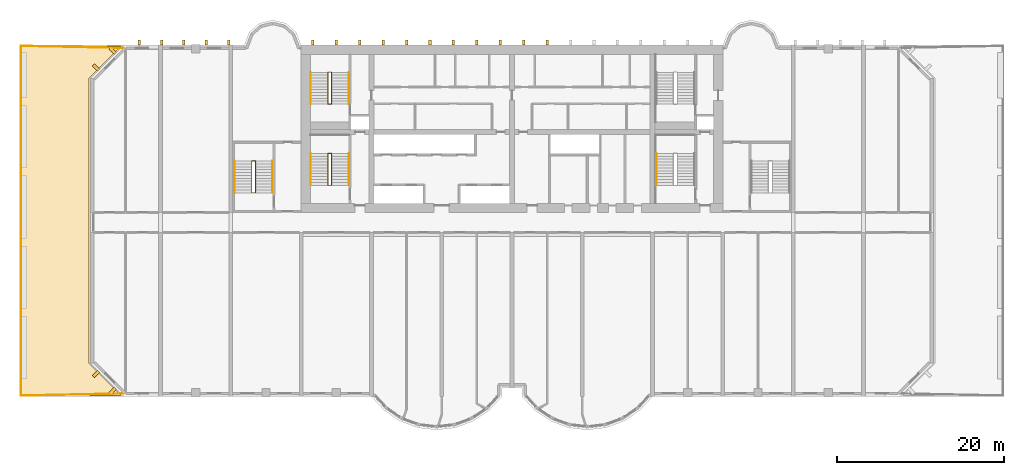
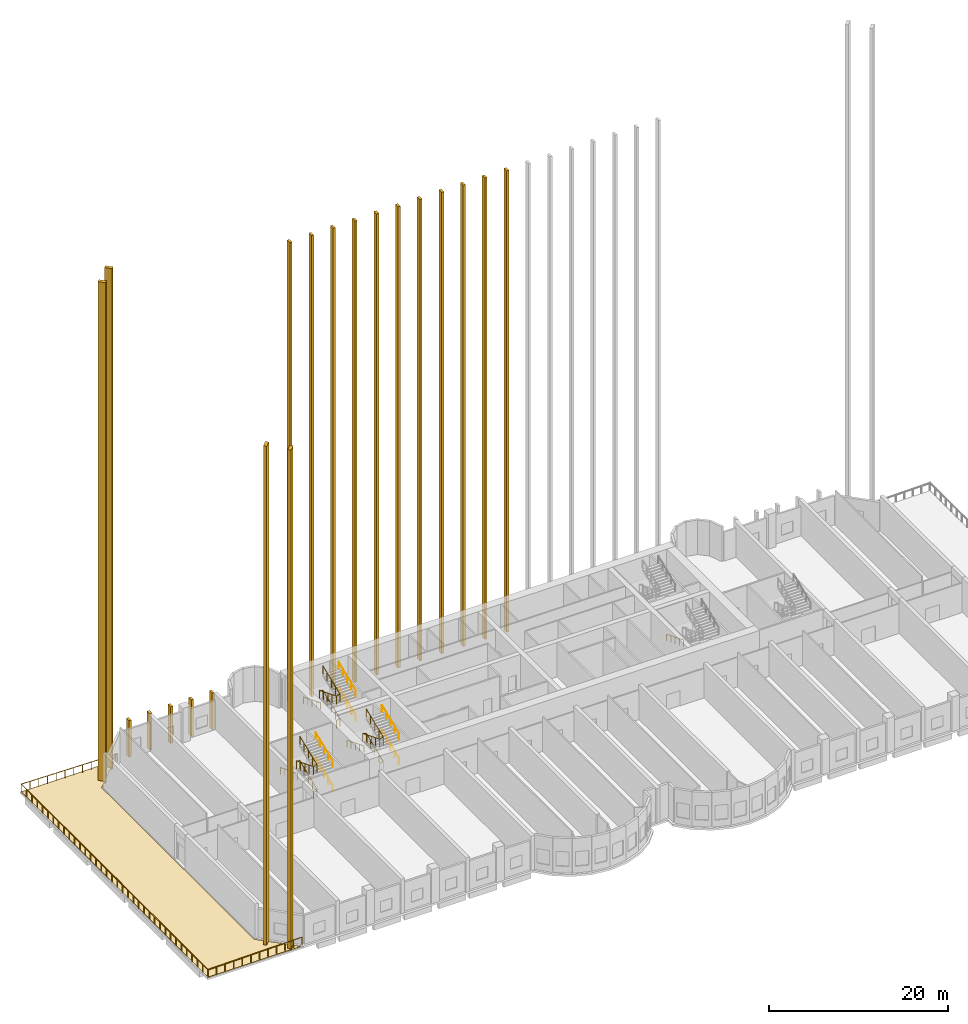
# One storey, part 10 of 11: 21 coverings, 14 railings.
"""IFC4 building model written with IfcOpenShell, lengths in metres."""

from ifc_helpers import new_model, si_unit, direction, frame, origin, origin_2d, place, context, subcontext, project, spatial, polyline, rectangle, circle, outline, extrude, source, transform, mapped, material, layer, layer_set, material_profile, profile_set, type_object, element, save


model = new_model("IFC4")

# Units and contexts
model_context = context("Model", 3, precision=1e-05, world=origin(), true_north=direction((0.0, 1.0)))
body_context = subcontext(model_context, "Body", "Model", "MODEL_VIEW")
ifc_project = project(units=[si_unit("LENGTHUNIT", "METRE"), si_unit("AREAUNIT", "SQUARE_METRE"), si_unit("VOLUMEUNIT", "CUBIC_METRE"), si_unit("PLANEANGLEUNIT", "RADIAN"), si_unit("MASSUNIT", "GRAM", prefix="KILO")], contexts=[model_context])

# Site, building, storey
site_placement = place(None, origin())
site = spatial("IfcSite", under=ifc_project, at=site_placement, CompositionType="ELEMENT")
building_placement = place(site_placement, origin())
building = spatial("IfcBuilding", under=site, at=building_placement, Name="Vanashikhar Sky Hotel", CompositionType="ELEMENT")
storey_placement = place(building_placement, frame((0.0, 0.0, 18.0)))
storey = spatial("IfcBuildingStorey", under=building, at=storey_placement, Name="L03", CompositionType="ELEMENT", Elevation=18.0)

# Covering
ifc_material_1 = material(Name="Paving stone", Category="masonry")
ifc_layer = layer(ifc_material_1, 0.050048828125)
ifc_layer_set = layer_set([ifc_layer], Name="Paving stone 50")
covering_type_1 = type_object("IfcCoveringType", Name="Paving stone 50", PredefinedType="FLOORING", material=ifc_layer_set)
shared_shape_1 = source(origin(), body_context, "Body", "SweptSolid", [
    extrude(outline(polyline([(3.705322265625, 0.1220703125), (-8.278076171875, 0.1220703125), (-8.278076171875, 41.8779296875), (3.705322265625, 41.8779296875), (-0.1220703125, 38.05078125), (-0.1220703125, 3.94921875), (3.705322265625, 0.1220703125)])), origin(), (0.0, 0.0, 1.0), 0.050048828125),
])
covering_placement = place(storey_placement, frame((0.0, 0.0, -0.050048828125)))
element("IfcCovering", 1, at=covering_placement, inside=storey, type_object=covering_type_1, Name="Terrace paving", PredefinedType="FLOORING", context=body_context, shape_type="MappedRepresentation", body=[
    mapped(shared_shape_1, transform((0.0, 0.0, 0.0), scale=1.0)),
])

# Railing
ifc_material_2 = material(Name="Stainless steel 316", Category="steel")
railing_type_1 = type_object("IfcRailingType", Name="Deck guard 1100", PredefinedType="GUARDRAIL", material=ifc_material_2)
shared_shape_2 = source(origin(), body_context, "Body", "SweptSolid", [
    extrude(circle(Radius=0.02392578125, at=origin_2d()), frame((0.0, 0.0, 1.076171875), z_axis=(-0.99979514263, 0.020240374831, 0.0), x_axis=(-0.020240374831, -0.99979514263, 0.0)), (0.0, 0.0, 1.0), 12.30322265625),
    extrude(circle(Radius=0.02392578125, at=origin_2d()), frame((-12.30078125, 0.2490234375, 1.076171875), z_axis=(0.0, -1.0, 0.0), x_axis=(1.0, 0.0, 0.0)), (0.0, 0.0, 1.0), 41.7958984375),
    extrude(circle(Radius=0.02392578125, at=origin_2d()), frame((-12.30078125, -41.546875, 1.076171875), z_axis=(0.99979514263, 0.020240374831, 0.0), x_axis=(-0.020240374831, 0.99979514263, 0.0)), (0.0, 0.0, 1.0), 12.30322265625),
    extrude(circle(Radius=0.02099609375, at=origin_2d()), origin(), (0.0, 0.0, 1.0), 1.052001953125),
    extrude(circle(Radius=0.02099609375, at=origin_2d()), frame((-1.1181640625, 0.022705078125, 0.0)), (0.0, 0.0, 1.0), 1.052001953125),
    extrude(circle(Radius=0.02099609375, at=origin_2d()), frame((-2.236572265625, 0.045166015625, 0.0)), (0.0, 0.0, 1.0), 1.052001953125),
    extrude(circle(Radius=0.02099609375, at=origin_2d()), frame((-3.354736328125, 0.06787109375, 0.0)), (0.0, 0.0, 1.0), 1.052001953125),
    extrude(circle(Radius=0.02099609375, at=origin_2d()), frame((-4.472900390625, 0.090576171875, 0.0)), (0.0, 0.0, 1.0), 1.052001953125),
    extrude(circle(Radius=0.02099609375, at=origin_2d()), frame((-5.59130859375, 0.11328125, 0.0)), (0.0, 0.0, 1.0), 1.052001953125),
    extrude(circle(Radius=0.02099609375, at=origin_2d()), frame((-6.70947265625, 0.1357421875, 0.0)), (0.0, 0.0, 1.0), 1.052001953125),
    extrude(circle(Radius=0.02099609375, at=origin_2d()), frame((-7.827880859375, 0.158447265625, 0.0)), (0.0, 0.0, 1.0), 1.052001953125),
    extrude(circle(Radius=0.02099609375, at=origin_2d()), frame((-8.946044921875, 0.18115234375, 0.0)), (0.0, 0.0, 1.0), 1.052001953125),
    extrude(circle(Radius=0.02099609375, at=origin_2d()), frame((-10.064208984375, 0.203857421875, 0.0)), (0.0, 0.0, 1.0), 1.052001953125),
    extrude(circle(Radius=0.02099609375, at=origin_2d()), frame((-11.1826171875, 0.226318359375, 0.0)), (0.0, 0.0, 1.0), 1.052001953125),
    extrude(circle(Radius=0.02099609375, at=origin_2d()), frame((-12.30078125, 0.2490234375, 0.0)), (0.0, 0.0, 1.0), 1.052001953125),
    extrude(circle(Radius=0.02099609375, at=origin_2d()), frame((-12.30078125, -0.945068359375, 0.0)), (0.0, 0.0, 1.0), 1.052001953125),
    extrude(circle(Radius=0.02099609375, at=origin_2d()), frame((-12.30078125, -2.139404296875, 0.0)), (0.0, 0.0, 1.0), 1.052001953125),
    extrude(circle(Radius=0.02099609375, at=origin_2d()), frame((-12.30078125, -3.33349609375, 0.0)), (0.0, 0.0, 1.0), 1.052001953125),
    extrude(circle(Radius=0.02099609375, at=origin_2d()), frame((-12.30078125, -4.527587890625, 0.0)), (0.0, 0.0, 1.0), 1.052001953125),
    extrude(circle(Radius=0.02099609375, at=origin_2d()), frame((-12.30078125, -5.721923828125, 0.0)), (0.0, 0.0, 1.0), 1.052001953125),
    extrude(circle(Radius=0.02099609375, at=origin_2d()), frame((-12.30078125, -6.916015625, 0.0)), (0.0, 0.0, 1.0), 1.052001953125),
    extrude(circle(Radius=0.02099609375, at=origin_2d()), frame((-12.30078125, -8.110107421875, 0.0)), (0.0, 0.0, 1.0), 1.052001953125),
    extrude(circle(Radius=0.02099609375, at=origin_2d()), frame((-12.30078125, -9.304443359375, 0.0)), (0.0, 0.0, 1.0), 1.052001953125),
    extrude(circle(Radius=0.02099609375, at=origin_2d()), frame((-12.30078125, -10.49853515625, 0.0)), (0.0, 0.0, 1.0), 1.052001953125),
    extrude(circle(Radius=0.02099609375, at=origin_2d()), frame((-12.30078125, -11.692626953125, 0.0)), (0.0, 0.0, 1.0), 1.052001953125),
    extrude(circle(Radius=0.02099609375, at=origin_2d()), frame((-12.30078125, -12.88671875, 0.0)), (0.0, 0.0, 1.0), 1.052001953125),
    extrude(circle(Radius=0.02099609375, at=origin_2d()), frame((-12.30078125, -14.0810546875, 0.0)), (0.0, 0.0, 1.0), 1.052001953125),
    extrude(circle(Radius=0.02099609375, at=origin_2d()), frame((-12.30078125, -15.275146484375, 0.0)), (0.0, 0.0, 1.0), 1.052001953125),
    extrude(circle(Radius=0.02099609375, at=origin_2d()), frame((-12.30078125, -16.46923828125, 0.0)), (0.0, 0.0, 1.0), 1.052001953125),
    extrude(circle(Radius=0.02099609375, at=origin_2d()), frame((-12.30078125, -17.66357421875, 0.0)), (0.0, 0.0, 1.0), 1.052001953125),
    extrude(circle(Radius=0.02099609375, at=origin_2d()), frame((-12.30078125, -18.857666015625, 0.0)), (0.0, 0.0, 1.0), 1.052001953125),
    extrude(circle(Radius=0.02099609375, at=origin_2d()), frame((-12.30078125, -20.0517578125, 0.0)), (0.0, 0.0, 1.0), 1.052001953125),
    extrude(circle(Radius=0.02099609375, at=origin_2d()), frame((-12.30078125, -21.24609375, 0.0)), (0.0, 0.0, 1.0), 1.052001953125),
    extrude(circle(Radius=0.02099609375, at=origin_2d()), frame((-12.30078125, -22.440185546875, 0.0)), (0.0, 0.0, 1.0), 1.052001953125),
    extrude(circle(Radius=0.02099609375, at=origin_2d()), frame((-12.30078125, -23.63427734375, 0.0)), (0.0, 0.0, 1.0), 1.052001953125),
    extrude(circle(Radius=0.02099609375, at=origin_2d()), frame((-12.30078125, -24.82861328125, 0.0)), (0.0, 0.0, 1.0), 1.052001953125),
    extrude(circle(Radius=0.02099609375, at=origin_2d()), frame((-12.30078125, -26.022705078125, 0.0)), (0.0, 0.0, 1.0), 1.052001953125),
    extrude(circle(Radius=0.02099609375, at=origin_2d()), frame((-12.30078125, -27.216796875, 0.0)), (0.0, 0.0, 1.0), 1.052001953125),
    extrude(circle(Radius=0.02099609375, at=origin_2d()), frame((-12.30078125, -28.4111328125, 0.0)), (0.0, 0.0, 1.0), 1.052001953125),
    extrude(circle(Radius=0.02099609375, at=origin_2d()), frame((-12.30078125, -29.605224609375, 0.0)), (0.0, 0.0, 1.0), 1.052001953125),
    extrude(circle(Radius=0.02099609375, at=origin_2d()), frame((-12.30078125, -30.79931640625, 0.0)), (0.0, 0.0, 1.0), 1.052001953125),
    extrude(circle(Radius=0.02099609375, at=origin_2d()), frame((-12.30078125, -31.993408203125, 0.0)), (0.0, 0.0, 1.0), 1.052001953125),
    extrude(circle(Radius=0.02099609375, at=origin_2d()), frame((-12.30078125, -33.187744140625, 0.0)), (0.0, 0.0, 1.0), 1.052001953125),
    extrude(circle(Radius=0.02099609375, at=origin_2d()), frame((-12.30078125, -34.3818359375, 0.0)), (0.0, 0.0, 1.0), 1.052001953125),
    extrude(circle(Radius=0.02099609375, at=origin_2d()), frame((-12.30078125, -35.575927734375, 0.0)), (0.0, 0.0, 1.0), 1.052001953125),
    extrude(circle(Radius=0.02099609375, at=origin_2d()), frame((-12.30078125, -36.770263671875, 0.0)), (0.0, 0.0, 1.0), 1.052001953125),
    extrude(circle(Radius=0.02099609375, at=origin_2d()), frame((-12.30078125, -37.96435546875, 0.0)), (0.0, 0.0, 1.0), 1.052001953125),
    extrude(circle(Radius=0.02099609375, at=origin_2d()), frame((-12.30078125, -39.158447265625, 0.0)), (0.0, 0.0, 1.0), 1.052001953125),
    extrude(circle(Radius=0.02099609375, at=origin_2d()), frame((-12.30078125, -40.352783203125, 0.0)), (0.0, 0.0, 1.0), 1.052001953125),
    extrude(circle(Radius=0.02099609375, at=origin_2d()), frame((-12.30078125, -41.546875, 0.0)), (0.0, 0.0, 1.0), 1.052001953125),
    extrude(circle(Radius=0.02099609375, at=origin_2d()), frame((-11.1826171875, -41.524169921875, 0.0)), (0.0, 0.0, 1.0), 1.052001953125),
    extrude(circle(Radius=0.02099609375, at=origin_2d()), frame((-10.064208984375, -41.501708984375, 0.0)), (0.0, 0.0, 1.0), 1.052001953125),
    extrude(circle(Radius=0.02099609375, at=origin_2d()), frame((-8.946044921875, -41.47900390625, 0.0)), (0.0, 0.0, 1.0), 1.052001953125),
    extrude(circle(Radius=0.02099609375, at=origin_2d()), frame((-7.827880859375, -41.456298828125, 0.0)), (0.0, 0.0, 1.0), 1.052001953125),
    extrude(circle(Radius=0.02099609375, at=origin_2d()), frame((-6.70947265625, -41.43359375, 0.0)), (0.0, 0.0, 1.0), 1.052001953125),
    extrude(circle(Radius=0.02099609375, at=origin_2d()), frame((-5.59130859375, -41.4111328125, 0.0)), (0.0, 0.0, 1.0), 1.052001953125),
    extrude(circle(Radius=0.02099609375, at=origin_2d()), frame((-4.472900390625, -41.388427734375, 0.0)), (0.0, 0.0, 1.0), 1.052001953125),
    extrude(circle(Radius=0.02099609375, at=origin_2d()), frame((-3.354736328125, -41.36572265625, 0.0)), (0.0, 0.0, 1.0), 1.052001953125),
    extrude(circle(Radius=0.02099609375, at=origin_2d()), frame((-2.236572265625, -41.343017578125, 0.0)), (0.0, 0.0, 1.0), 1.052001953125),
    extrude(circle(Radius=0.02099609375, at=origin_2d()), frame((-1.1181640625, -41.320556640625, 0.0)), (0.0, 0.0, 1.0), 1.052001953125),
    extrude(circle(Radius=0.02099609375, at=origin_2d()), frame((0.0, -41.2978515625, 0.0)), (0.0, 0.0, 1.0), 1.052001953125),
])
railing_1_placement = place(storey_placement, frame((4.002685546875, 41.64892578125, -0.050048828125)))
element("IfcRailing", 2, at=railing_1_placement, inside=storey, type_object=railing_type_1, Name="Terrace guard", PredefinedType="GUARDRAIL", context=body_context, shape_type="MappedRepresentation", body=[
    mapped(shared_shape_2, transform((0.0, 0.0, 0.0), scale=1.0)),
])

# Coverings
ifc_material_3 = material(Name="Concrete M60 dark", Category="concrete")
ifc_material_profile_1 = material_profile(ifc_material_3, rectangle(XDim=0.60009765625, YDim=0.300048828125, at=origin_2d()))
ifc_profile_set_1 = profile_set([ifc_material_profile_1], Name="Rear rib 600 x 300")
covering_type_2 = type_object("IfcCoveringType", Name="Rear rib 600 x 300", PredefinedType="CLADDING", material=ifc_profile_set_1)
shared_shape_3 = source(origin(), body_context, "Body", "SweptSolid", [
    extrude(rectangle(XDim=0.60009765625, YDim=0.300048828125, at=origin_2d()), origin(), (0.0, 0.0, 1.0), 63.0),
])
for number, where, z_axis, x_axis, name in (
    (3, (26.60009765625, 42.300048828125, -0.280029296875), (0.0, 0.0, 1.0), (0.0, 1.0, 0.0), "Rear rib"),
    (4, (29.39990234375, 42.300048828125, -0.280029296875), (0.0, 0.0, 1.0), (0.0, 1.0, 0.0), "Rear rib"),
    (5, (32.199951171875, 42.300048828125, -0.280029296875), (0.0, 0.0, 1.0), (0.0, 1.0, 0.0), "Rear rib"),
    (6, (35.0, 42.300048828125, -0.280029296875), (0.0, 0.0, 1.0), (0.0, 1.0, 0.0), "Rear rib"),
    (7, (37.800048828125, 42.300048828125, -0.280029296875), (0.0, 0.0, 1.0), (0.0, 1.0, 0.0), "Rear rib"),
    (8, (40.60009765625, 42.300048828125, -0.280029296875), (0.0, 0.0, 1.0), (0.0, 1.0, 0.0), "Rear rib"),
    (9, (43.39990234375, 42.300048828125, -0.280029296875), (0.0, 0.0, 1.0), (0.0, 1.0, 0.0), "Rear rib"),
    (10, (46.199951171875, 42.300048828125, -0.280029296875), (0.0, 0.0, 1.0), (0.0, 1.0, 0.0), "Rear rib"),
    (11, (49.0, 42.300048828125, -0.280029296875), (0.0, 0.0, 1.0), (0.0, 1.0, 0.0), "Rear rib"),
    (12, (51.800048828125, 42.300048828125, -0.280029296875), (0.0, 0.0, 1.0), (0.0, 1.0, 0.0), "Rear rib"),
    (13, (54.60009765625, 42.300048828125, -0.280029296875), (0.0, 0.0, 1.0), (0.0, 1.0, 0.0), "Rear rib"),
):
    element("IfcCovering", number, at=place(storey_placement, frame(where, z_axis=z_axis, x_axis=x_axis)), inside=storey, type_object=covering_type_2, Name=name, PredefinedType="CLADDING", context=body_context, shape_type="MappedRepresentation", body=[
        mapped(shared_shape_3, transform((0.0, 0.0, 0.0), scale=1.0)),
    ])
shared_shape_4 = source(origin(), body_context, "Body", "SweptSolid", [
    extrude(rectangle(XDim=0.60009765625, YDim=0.300048828125, at=origin_2d()), origin(), (0.0, 0.0, 1.0), 5.0),
])
for number, where, z_axis, x_axis, name in (
    (14, (5.840087890625, 42.300048828125, -0.280029296875), (0.0, 0.0, 1.0), (0.0, 1.0, 0.0), "Rear rib"),
    (15, (8.52001953125, 42.300048828125, -0.280029296875), (0.0, 0.0, 1.0), (0.0, 1.0, 0.0), "Rear rib"),
    (16, (11.199951171875, 42.300048828125, -0.280029296875), (0.0, 0.0, 1.0), (0.0, 1.0, 0.0), "Rear rib"),
    (17, (13.8798828125, 42.300048828125, -0.280029296875), (0.0, 0.0, 1.0), (0.0, 1.0, 0.0), "Rear rib"),
    (18, (16.56005859375, 42.300048828125, -0.280029296875), (0.0, 0.0, 1.0), (0.0, 1.0, 0.0), "Rear rib"),
):
    element("IfcCovering", number, at=place(storey_placement, frame(where, z_axis=z_axis, x_axis=x_axis)), inside=storey, type_object=covering_type_2, Name=name, PredefinedType="CLADDING", context=body_context, shape_type="MappedRepresentation", body=[
        mapped(shared_shape_4, transform((0.0, 0.0, 0.0), scale=1.0)),
    ])
ifc_material_profile_2 = material_profile(ifc_material_3, rectangle(XDim=0.89990234375, YDim=0.39990234375, at=origin_2d()))
ifc_profile_set_2 = profile_set([ifc_material_profile_2], Name="Chamfer fin 900 x 400")
covering_type_3 = type_object("IfcCoveringType", Name="Chamfer fin 900 x 400", PredefinedType="CLADDING", material=ifc_profile_set_2)
shared_shape_5 = source(origin(), body_context, "Body", "SweptSolid", [
    extrude(rectangle(XDim=0.89990234375, YDim=0.39990234375, at=origin_2d()), origin(), (0.0, 0.0, 1.0), 68.400146484375),
])
for number, where, z_axis, x_axis, name in (
    (19, (2.681884765625, 41.318115234375, -0.280029296875), (0.0, 0.0, 1.0), (-0.707106781187, 0.707106781187, 0.0), "Chamfer fin"),
    (20, (0.681884765625, 39.318115234375, -0.280029296875), (0.0, 0.0, 1.0), (-0.707106781187, 0.707106781187, 0.0), "Chamfer fin"),
    (21, (0.681884765625, 2.681884765625, -0.280029296875), (0.0, 0.0, 1.0), (-0.707106781187, -0.707106781187, 0.0), "Chamfer fin"),
    (22, (2.681884765625, 0.681884765625, -0.280029296875), (0.0, 0.0, 1.0), (-0.707106781187, -0.707106781187, 0.0), "Chamfer fin"),
):
    element("IfcCovering", number, at=place(storey_placement, frame(where, z_axis=z_axis, x_axis=x_axis)), inside=storey, type_object=covering_type_3, Name=name, PredefinedType="CLADDING", context=body_context, shape_type="MappedRepresentation", body=[
        mapped(shared_shape_5, transform((0.0, 0.0, 0.0), scale=1.0)),
    ])

# Railings
ifc_material_4 = material(Name="Steel S355", Category="steel")
railing_type_2 = type_object("IfcRailingType", Name="Stair guard 1100", PredefinedType="GUARDRAIL", material=ifc_material_4)
shared_shape_6 = source(origin(), body_context, "Body", "SweptSolid", [
    extrude(circle(Radius=0.02392578125, at=origin_2d()), frame((0.0, 0.0, 1.076171875), z_axis=(0.955543416296, 0.0, 0.294850435939), x_axis=(0.0, 1.0, 0.0)), (0.0, 0.0, 1.0), 0.47119140625),
    extrude(circle(Radius=0.02392578125, at=origin_2d()), frame((0.4501953125, 0.0, 1.21484375), z_axis=(0.0, 0.927817477834, 0.373034486109), x_axis=(-1.0, 0.0, 0.0)), (0.0, 0.0, 1.0), 4.095703125),
    extrude(circle(Radius=0.02392578125, at=origin_2d()), frame((0.4501953125, 3.800048828125, 2.74267578125), z_axis=(-0.955543416296, 0.0, 0.294850435939), x_axis=(0.0, -1.0, 0.0)), (0.0, 0.0, 1.0), 0.47119140625),
    extrude(circle(Radius=0.02392578125, at=origin_2d()), frame((0.0, 3.800048828125, 2.8818359375), z_axis=(0.0, -0.927838108096, 0.372983170084), x_axis=(1.0, 0.0, 0.0)), (0.0, 0.0, 1.0), 4.095703125),
    extrude(circle(Radius=0.02392578125, at=origin_2d()), frame((0.0, 0.0, 4.4091796875), z_axis=(0.955543416296, 0.0, 0.294850435939), x_axis=(0.0, 1.0, 0.0)), (0.0, 0.0, 1.0), 0.47119140625),
    extrude(circle(Radius=0.02392578125, at=origin_2d()), frame((0.4501953125, 0.0, 4.54833984375), z_axis=(0.0, 0.927817477834, 0.373034486109), x_axis=(-1.0, 0.0, 0.0)), (0.0, 0.0, 1.0), 4.095703125),
    extrude(circle(Radius=0.02099609375, at=origin_2d()), origin(), (0.0, 0.0, 1.0), 1.052001953125),
    extrude(circle(Radius=0.02099609375, at=origin_2d()), frame((0.4501953125, 0.0, 0.138916015625)), (0.0, 0.0, 1.0), 1.052001953125),
    extrude(circle(Radius=0.02099609375, at=origin_2d()), frame((0.4501953125, 0.949951171875, 0.52099609375)), (0.0, 0.0, 1.0), 1.052001953125),
    extrude(circle(Radius=0.02099609375, at=origin_2d()), frame((0.4501953125, 1.89990234375, 0.90283203125)), (0.0, 0.0, 1.0), 1.052001953125),
    extrude(circle(Radius=0.02099609375, at=origin_2d()), frame((0.4501953125, 2.85009765625, 1.28466796875)), (0.0, 0.0, 1.0), 1.052001953125),
    extrude(circle(Radius=0.02099609375, at=origin_2d()), frame((0.4501953125, 3.800048828125, 1.666748046875)), (0.0, 0.0, 1.0), 1.052001953125),
    extrude(circle(Radius=0.02099609375, at=origin_2d()), frame((0.0, 3.800048828125, 1.8056640625)), (0.0, 0.0, 1.0), 1.052001953125),
    extrude(circle(Radius=0.02099609375, at=origin_2d()), frame((0.0, 2.85009765625, 2.1875)), (0.0, 0.0, 1.0), 1.052001953125),
    extrude(circle(Radius=0.02099609375, at=origin_2d()), frame((0.0, 1.89990234375, 2.5693359375)), (0.0, 0.0, 1.0), 1.052001953125),
    extrude(circle(Radius=0.02099609375, at=origin_2d()), frame((0.0, 0.949951171875, 2.951416015625)), (0.0, 0.0, 1.0), 1.052001953125),
    extrude(circle(Radius=0.02099609375, at=origin_2d()), frame((0.0, 0.0, 3.333251953125)), (0.0, 0.0, 1.0), 1.052001953125),
    extrude(circle(Radius=0.02099609375, at=origin_2d()), frame((0.4501953125, 0.0, 3.47216796875)), (0.0, 0.0, 1.0), 1.052001953125),
    extrude(circle(Radius=0.02099609375, at=origin_2d()), frame((0.4501953125, 0.949951171875, 3.85400390625)), (0.0, 0.0, 1.0), 1.052001953125),
    extrude(circle(Radius=0.02099609375, at=origin_2d()), frame((0.4501953125, 1.89990234375, 4.236083984375)), (0.0, 0.0, 1.0), 1.052001953125),
    extrude(circle(Radius=0.02099609375, at=origin_2d()), frame((0.4501953125, 2.85009765625, 4.6181640625)), (0.0, 0.0, 1.0), 1.052001953125),
    extrude(circle(Radius=0.02099609375, at=origin_2d()), frame((0.4501953125, 3.800048828125, 5.0)), (0.0, 0.0, 1.0), 1.052001953125),
])
for number, where, name in (
    (23, (28.39990234375, 25.25, 0.0), "Exit stair 1 guard"),
    (24, (28.39990234375, 34.949951171875, 0.0), "Exit stair 5 guard"),
):
    element("IfcRailing", number, at=place(storey_placement, frame(where)), inside=storey, type_object=railing_type_2, Name=name, PredefinedType="GUARDRAIL", context=body_context, shape_type="MappedRepresentation", body=[
        mapped(shared_shape_6, transform((0.0, 0.0, 0.0), scale=1.0)),
    ])
railing_type_3 = type_object("IfcRailingType", Name="Stair handrail 900", PredefinedType="HANDRAIL", material=ifc_material_4)
shared_shape_7 = source(origin(), body_context, "Body", "SweptSolid", [
    extrude(circle(Radius=0.02392578125, at=origin_2d()), frame((0.0, 0.0, 0.8759765625), z_axis=(0.0, 0.927817477834, 0.373034486109), x_axis=(-1.0, 0.0, 0.0)), (0.0, 0.0, 1.0), 4.095703125),
    extrude(circle(Radius=0.02099609375, at=origin_2d()), origin(), (0.0, 0.0, 1.0), 0.851806640625),
    extrude(circle(Radius=0.02099609375, at=origin_2d()), frame((0.0, 0.949951171875, 0.3818359375)), (0.0, 0.0, 1.0), 0.851806640625),
    extrude(circle(Radius=0.02099609375, at=origin_2d()), frame((0.0, 1.89990234375, 0.763916015625)), (0.0, 0.0, 1.0), 0.851806640625),
    extrude(circle(Radius=0.02099609375, at=origin_2d()), frame((0.0, 2.85009765625, 1.14599609375)), (0.0, 0.0, 1.0), 0.851806640625),
    extrude(circle(Radius=0.02099609375, at=origin_2d()), frame((0.0, 3.800048828125, 1.52783203125)), (0.0, 0.0, 1.0), 0.851806640625),
])
for number, where, name in (
    (25, (30.89990234375, 25.25, 0.138916015625), "Exit stair 1 handrail"),
    (26, (30.89990234375, 25.25, 3.47216796875), "Exit stair 1 handrail"),
    (27, (30.89990234375, 34.949951171875, 0.138916015625), "Exit stair 5 handrail"),
    (28, (30.89990234375, 34.949951171875, 3.47216796875), "Exit stair 5 handrail"),
):
    element("IfcRailing", number, at=place(storey_placement, frame(where)), inside=storey, type_object=railing_type_3, Name=name, PredefinedType="HANDRAIL", context=body_context, shape_type="MappedRepresentation", body=[
        mapped(shared_shape_7, transform((0.0, 0.0, 0.0), scale=1.0)),
    ])
shared_shape_8 = source(origin(), body_context, "Body", "SweptSolid", [
    extrude(circle(Radius=0.02392578125, at=origin_2d()), frame((0.0, 0.0, 0.8759765625), z_axis=(0.0, -0.927838108096, 0.372983170084), x_axis=(1.0, 0.0, 0.0)), (0.0, 0.0, 1.0), 4.095703125),
    extrude(circle(Radius=0.02099609375, at=origin_2d()), origin(), (0.0, 0.0, 1.0), 0.851806640625),
    extrude(circle(Radius=0.02099609375, at=origin_2d()), frame((0.0, -0.949951171875, 0.3818359375)), (0.0, 0.0, 1.0), 0.851806640625),
    extrude(circle(Radius=0.02099609375, at=origin_2d()), frame((0.0, -1.89990234375, 0.763671875)), (0.0, 0.0, 1.0), 0.851806640625),
    extrude(circle(Radius=0.02099609375, at=origin_2d()), frame((0.0, -2.85009765625, 1.145751953125)), (0.0, 0.0, 1.0), 0.851806640625),
    extrude(circle(Radius=0.02099609375, at=origin_2d()), frame((0.0, -3.800048828125, 1.527587890625)), (0.0, 0.0, 1.0), 0.851806640625),
])
for number, where, name in (
    (29, (26.35009765625, 29.050048828125, 1.8056640625), "Exit stair 1 handrail"),
    (30, (67.64990234375, 29.050048828125, 1.8056640625), "Exit stair 2 handrail"),
    (31, (26.35009765625, 38.75, 1.8056640625), "Exit stair 5 handrail"),
):
    element("IfcRailing", number, at=place(storey_placement, frame(where)), inside=storey, type_object=railing_type_3, Name=name, PredefinedType="HANDRAIL", context=body_context, shape_type="MappedRepresentation", body=[
        mapped(shared_shape_8, transform((0.0, 0.0, 0.0), scale=1.0)),
    ])
shared_shape_9 = source(origin(), body_context, "Body", "SweptSolid", [
    extrude(circle(Radius=0.02392578125, at=origin_2d()), frame((0.0, 0.0, 1.076171875), z_axis=(0.955498332995, 0.0, 0.294996501071), x_axis=(0.0, 1.0, 0.0)), (0.0, 0.0, 1.0), 0.470947265625),
    extrude(circle(Radius=0.02392578125, at=origin_2d()), frame((0.449951171875, 0.0, 1.21484375), z_axis=(0.0, 0.927809182241, 0.37305511838), x_axis=(-1.0, 0.0, 0.0)), (0.0, 0.0, 1.0), 4.095458984375),
    extrude(circle(Radius=0.02392578125, at=origin_2d()), frame((0.449951171875, 3.7998046875, 2.74267578125), z_axis=(-0.955498332995, 0.0, 0.294996501071), x_axis=(0.0, -1.0, 0.0)), (0.0, 0.0, 1.0), 0.470947265625),
    extrude(circle(Radius=0.02392578125, at=origin_2d()), frame((0.0, 3.7998046875, 2.8818359375), z_axis=(0.0, -0.927829814601, 0.373003800434), x_axis=(1.0, 0.0, 0.0)), (0.0, 0.0, 1.0), 4.095458984375),
    extrude(circle(Radius=0.02392578125, at=origin_2d()), frame((0.0, 0.0, 4.4091796875), z_axis=(0.955498332995, 0.0, 0.294996501071), x_axis=(0.0, 1.0, 0.0)), (0.0, 0.0, 1.0), 0.470947265625),
    extrude(circle(Radius=0.02392578125, at=origin_2d()), frame((0.449951171875, 0.0, 4.54833984375), z_axis=(0.0, 0.927809182241, 0.37305511838), x_axis=(-1.0, 0.0, 0.0)), (0.0, 0.0, 1.0), 4.095458984375),
    extrude(circle(Radius=0.02099609375, at=origin_2d()), origin(), (0.0, 0.0, 1.0), 1.052001953125),
    extrude(circle(Radius=0.02099609375, at=origin_2d()), frame((0.449951171875, 0.0, 0.138916015625)), (0.0, 0.0, 1.0), 1.052001953125),
    extrude(circle(Radius=0.02099609375, at=origin_2d()), frame((0.449951171875, 0.949951171875, 0.52099609375)), (0.0, 0.0, 1.0), 1.052001953125),
    extrude(circle(Radius=0.02099609375, at=origin_2d()), frame((0.449951171875, 1.89990234375, 0.90283203125)), (0.0, 0.0, 1.0), 1.052001953125),
    extrude(circle(Radius=0.02099609375, at=origin_2d()), frame((0.449951171875, 2.849853515625, 1.28466796875)), (0.0, 0.0, 1.0), 1.052001953125),
    extrude(circle(Radius=0.02099609375, at=origin_2d()), frame((0.449951171875, 3.7998046875, 1.666748046875)), (0.0, 0.0, 1.0), 1.052001953125),
    extrude(circle(Radius=0.02099609375, at=origin_2d()), frame((0.0, 3.7998046875, 1.8056640625)), (0.0, 0.0, 1.0), 1.052001953125),
    extrude(circle(Radius=0.02099609375, at=origin_2d()), frame((0.0, 2.849853515625, 2.1875)), (0.0, 0.0, 1.0), 1.052001953125),
    extrude(circle(Radius=0.02099609375, at=origin_2d()), frame((0.0, 1.89990234375, 2.5693359375)), (0.0, 0.0, 1.0), 1.052001953125),
    extrude(circle(Radius=0.02099609375, at=origin_2d()), frame((0.0, 0.949951171875, 2.951416015625)), (0.0, 0.0, 1.0), 1.052001953125),
    extrude(circle(Radius=0.02099609375, at=origin_2d()), frame((0.0, 0.0, 3.333251953125)), (0.0, 0.0, 1.0), 1.052001953125),
    extrude(circle(Radius=0.02099609375, at=origin_2d()), frame((0.449951171875, 0.0, 3.47216796875)), (0.0, 0.0, 1.0), 1.052001953125),
    extrude(circle(Radius=0.02099609375, at=origin_2d()), frame((0.449951171875, 0.949951171875, 3.85400390625)), (0.0, 0.0, 1.0), 1.052001953125),
    extrude(circle(Radius=0.02099609375, at=origin_2d()), frame((0.449951171875, 1.89990234375, 4.236083984375)), (0.0, 0.0, 1.0), 1.052001953125),
    extrude(circle(Radius=0.02099609375, at=origin_2d()), frame((0.449951171875, 2.849853515625, 4.6181640625)), (0.0, 0.0, 1.0), 1.052001953125),
    extrude(circle(Radius=0.02099609375, at=origin_2d()), frame((0.449951171875, 3.7998046875, 5.0)), (0.0, 0.0, 1.0), 1.052001953125),
])
railing_2_placement = place(storey_placement, frame((19.300048828125, 24.35009765625, 0.0)))
element("IfcRailing", 32, at=railing_2_placement, inside=storey, type_object=railing_type_2, Name="Exit stair 3 guard", PredefinedType="GUARDRAIL", context=body_context, shape_type="MappedRepresentation", body=[
    mapped(shared_shape_9, transform((0.0, 0.0, 0.0), scale=1.0)),
])
shared_shape_10 = source(origin(), body_context, "Body", "SweptSolid", [
    extrude(circle(Radius=0.02392578125, at=origin_2d()), frame((0.0, 0.0, 0.8759765625), z_axis=(0.0, 0.927809182241, 0.37305511838), x_axis=(-1.0, 0.0, 0.0)), (0.0, 0.0, 1.0), 4.095458984375),
    extrude(circle(Radius=0.02099609375, at=origin_2d()), origin(), (0.0, 0.0, 1.0), 0.851806640625),
    extrude(circle(Radius=0.02099609375, at=origin_2d()), frame((0.0, 0.949951171875, 0.3818359375)), (0.0, 0.0, 1.0), 0.851806640625),
    extrude(circle(Radius=0.02099609375, at=origin_2d()), frame((0.0, 1.89990234375, 0.763916015625)), (0.0, 0.0, 1.0), 0.851806640625),
    extrude(circle(Radius=0.02099609375, at=origin_2d()), frame((0.0, 2.849853515625, 1.14599609375)), (0.0, 0.0, 1.0), 0.851806640625),
    extrude(circle(Radius=0.02099609375, at=origin_2d()), frame((0.0, 3.7998046875, 1.52783203125)), (0.0, 0.0, 1.0), 0.851806640625),
])
for number, where, name in (
    (33, (21.800048828125, 24.35009765625, 0.138916015625), "Exit stair 3 handrail"),
    (34, (21.800048828125, 24.35009765625, 3.47216796875), "Exit stair 3 handrail"),
):
    element("IfcRailing", number, at=place(storey_placement, frame(where)), inside=storey, type_object=railing_type_3, Name=name, PredefinedType="HANDRAIL", context=body_context, shape_type="MappedRepresentation", body=[
        mapped(shared_shape_10, transform((0.0, 0.0, 0.0), scale=1.0)),
    ])
shared_shape_11 = source(origin(), body_context, "Body", "SweptSolid", [
    extrude(circle(Radius=0.02392578125, at=origin_2d()), frame((0.0, 0.0, 0.8759765625), z_axis=(0.0, -0.927829814601, 0.373003800434), x_axis=(1.0, 0.0, 0.0)), (0.0, 0.0, 1.0), 4.095458984375),
    extrude(circle(Radius=0.02099609375, at=origin_2d()), origin(), (0.0, 0.0, 1.0), 0.851806640625),
    extrude(circle(Radius=0.02099609375, at=origin_2d()), frame((0.0, -0.949951171875, 0.3818359375)), (0.0, 0.0, 1.0), 0.851806640625),
    extrude(circle(Radius=0.02099609375, at=origin_2d()), frame((0.0, -1.89990234375, 0.763671875)), (0.0, 0.0, 1.0), 0.851806640625),
    extrude(circle(Radius=0.02099609375, at=origin_2d()), frame((0.0, -2.849853515625, 1.145751953125)), (0.0, 0.0, 1.0), 0.851806640625),
    extrude(circle(Radius=0.02099609375, at=origin_2d()), frame((0.0, -3.7998046875, 1.527587890625)), (0.0, 0.0, 1.0), 0.851806640625),
])
railing_3_placement = place(storey_placement, frame((17.25, 28.14990234375, 1.8056640625)))
element("IfcRailing", 35, at=railing_3_placement, inside=storey, type_object=railing_type_3, Name="Exit stair 3 handrail", PredefinedType="HANDRAIL", context=body_context, shape_type="MappedRepresentation", body=[
    mapped(shared_shape_11, transform((0.0, 0.0, 0.0), scale=1.0)),
])

save(model, "model.ifc")
